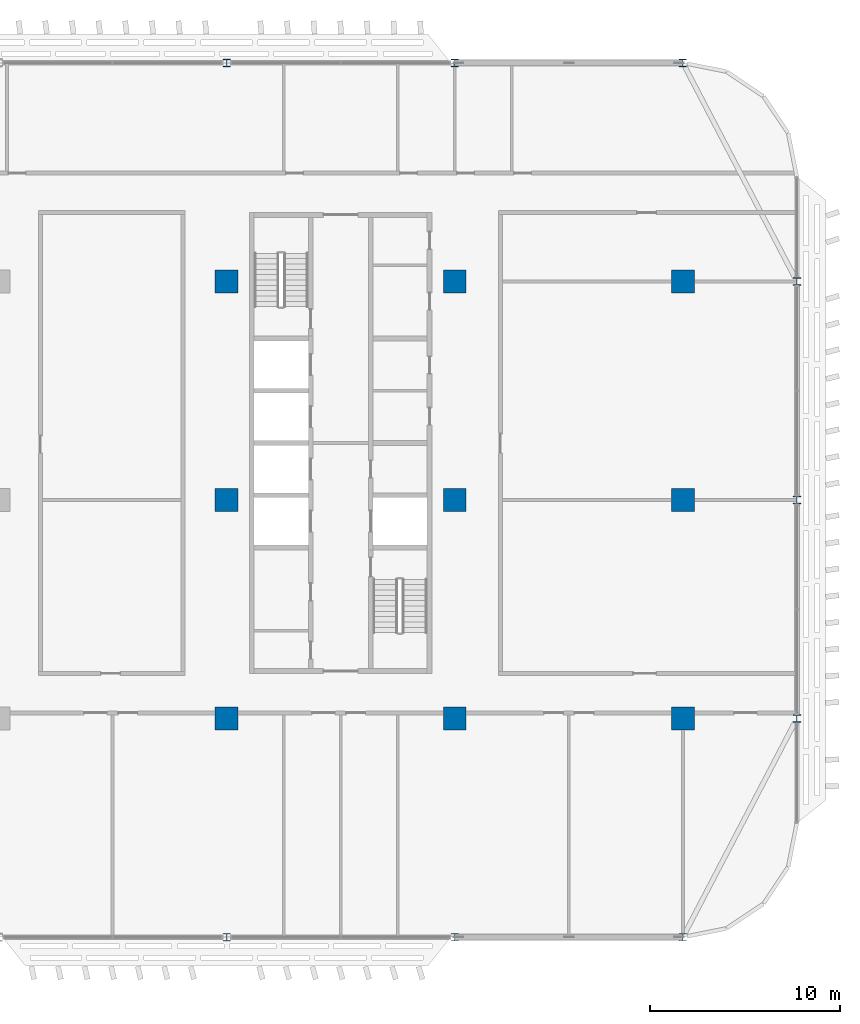
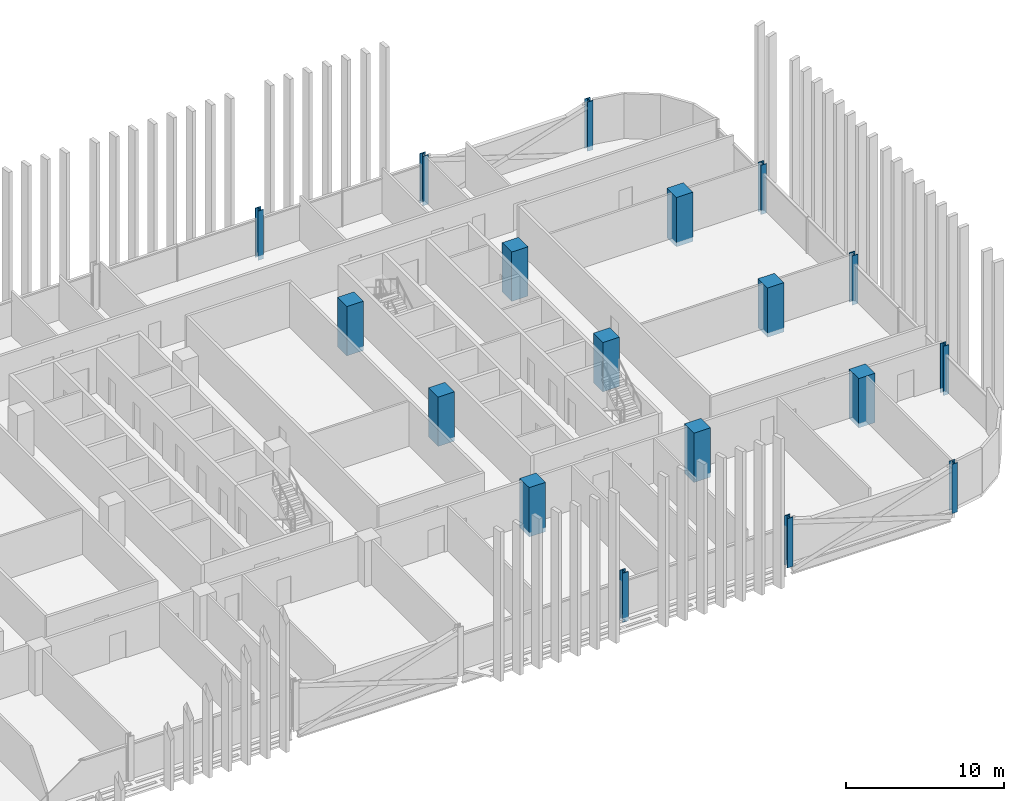
# One storey, part 2 of 28: 18 columns.
"""IFC4 building model written with IfcOpenShell, lengths in metres."""

from ifc_helpers import new_model, si_unit, direction, frame, origin, origin_2d, place, context, subcontext, project, spatial, rectangle, i_section, extrude, material, material_profile, profile_set, type_object, element, save


model = new_model("IFC4")

# Units and contexts
model_context = context("Model", 3, precision=1e-05, world=origin(), true_north=direction((0.0, 1.0)))
body_context = subcontext(model_context, "Body", "Model", "MODEL_VIEW")
ifc_project = project(units=[si_unit("LENGTHUNIT", "METRE"), si_unit("AREAUNIT", "SQUARE_METRE"), si_unit("VOLUMEUNIT", "CUBIC_METRE"), si_unit("PLANEANGLEUNIT", "RADIAN"), si_unit("MASSUNIT", "GRAM", prefix="KILO")], contexts=[model_context])

# Site, building, storey
site_placement = place(None, origin())
site = spatial("IfcSite", under=ifc_project, at=site_placement, CompositionType="ELEMENT")
building_placement = place(site_placement, origin())
building = spatial("IfcBuilding", under=site, at=building_placement, Name="Mahtab Terrace Research Tower", CompositionType="ELEMENT")
storey_placement = place(building_placement, frame((0.0, 0.0, 174.39990234375)))
storey = spatial("IfcBuildingStorey", under=building, at=storey_placement, Name="L41", CompositionType="ELEMENT", Elevation=174.39990234375)

# Columns
ifc_material_1 = material(Name="Concrete C70/85", Category="concrete")
ifc_material_profile_1 = material_profile(ifc_material_1, rectangle(XDim=1.199951171875, YDim=1.199951171875, at=origin_2d()), Name="RC column 1200x1200")
ifc_profile_set_1 = profile_set([ifc_material_profile_1], Name="Concrete C70/85")
column_type_1 = type_object("IfcColumnType", Name="RC column 1200x1200", PredefinedType="COLUMN", material=ifc_profile_set_1)
for number, where, z_axis, x_axis, name in (
    (1, (18.0, -11.5, -0.33984375), (0.0, 0.0, 1.0), (1.0, 0.0, 0.0), "Column RC-6A L41"),
    (2, (18.0, 0.0, -0.33984375), (0.0, 0.0, 1.0), (1.0, 0.0, 0.0), "Column RC-6B L41"),
    (3, (18.0, 11.5, -0.33984375), (0.0, 0.0, 1.0), (1.0, 0.0, 0.0), "Column RC-6C L41"),
    (4, (30.0, -11.5, -0.33984375), (0.0, 0.0, 1.0), (1.0, 0.0, 0.0), "Column RC-7A L41"),
    (5, (30.0, 0.0, -0.33984375), (0.0, 0.0, 1.0), (1.0, 0.0, 0.0), "Column RC-7B L41"),
    (6, (30.0, 11.5, -0.33984375), (0.0, 0.0, 1.0), (1.0, 0.0, 0.0), "Column RC-7C L41"),
    (7, (42.0, -11.5, -0.33984375), (0.0, 0.0, 1.0), (1.0, 0.0, 0.0), "Column RC-8A L41"),
    (8, (42.0, 0.0, -0.33984375), (0.0, 0.0, 1.0), (1.0, 0.0, 0.0), "Column RC-8B L41"),
    (9, (42.0, 11.5, -0.33984375), (0.0, 0.0, 1.0), (1.0, 0.0, 0.0), "Column RC-8C L41"),
):
    element("IfcColumn", number, at=place(storey_placement, frame(where, z_axis=z_axis, x_axis=x_axis)), inside=storey, type_object=column_type_1, Name=name, PredefinedType="COLUMN", context=body_context, shape_type="SweptSolid", body=[
        extrude(rectangle(XDim=1.199951171875, YDim=1.199951171875, at=origin_2d()), origin(), (0.0, 0.0, 1.0), 3.800048828125),
    ])
ifc_material_2 = material(Name="Steel ASTM A992 Gr 50", Category="steel")
ifc_material_profile_2 = material_profile(ifc_material_2, i_section(OverallWidth=0.406494140625, OverallDepth=0.41650390625, WebThickness=0.030029296875, FlangeThickness=0.048095703125, at=origin_2d()), Name="W14X257")
ifc_profile_set_2 = profile_set([ifc_material_profile_2], Name="Steel ASTM A992 Gr 50")
column_type_2 = type_object("IfcColumnType", Name="W14x257 column CS14257", PredefinedType="COLUMN", material=ifc_profile_set_2)
for number, where, z_axis, x_axis, name in (
    (10, (42.0, 23.0, -0.33984375), (0.0, 0.0, 1.0), (1.0, 0.0, 0.0), "Column SC-001 L41"),
    (11, (30.0, 23.0, -0.33984375), (0.0, 0.0, 1.0), (1.0, 0.0, 0.0), "Column SC-002 L41"),
    (12, (18.0, 23.0, -0.33984375), (0.0, 0.0, 1.0), (1.0, 0.0, 0.0), "Column SC-003 L41"),
    (13, (18.0, -23.0, -0.33984375), (0.0, 0.0, 1.0), (1.0, 0.0, 0.0), "Column SC-017 L41"),
    (14, (30.0, -23.0, -0.33984375), (0.0, 0.0, 1.0), (1.0, 0.0, 0.0), "Column SC-018 L41"),
    (15, (42.0, -23.0, -0.33984375), (0.0, 0.0, 1.0), (1.0, 0.0, 0.0), "Column SC-019 L41"),
    (16, (48.0, -11.5, -0.33984375), (0.0, 0.0, 1.0), (1.0, 0.0, 0.0), "Column SC-020 L41"),
    (17, (48.0, 0.0, -0.33984375), (0.0, 0.0, 1.0), (1.0, 0.0, 0.0), "Column SC-021 L41"),
    (18, (48.0, 11.5, -0.33984375), (0.0, 0.0, 1.0), (1.0, 0.0, 0.0), "Column SC-022 L41"),
):
    element("IfcColumn", number, at=place(storey_placement, frame(where, z_axis=z_axis, x_axis=x_axis)), inside=storey, type_object=column_type_2, Name=name, PredefinedType="COLUMN", context=body_context, shape_type="SweptSolid", body=[
        extrude(i_section(OverallWidth=0.406494140625, OverallDepth=0.41650390625, WebThickness=0.030029296875, FlangeThickness=0.048095703125, at=origin_2d()), origin(), (0.0, 0.0, 1.0), 3.800048828125),
    ])

save(model, "model.ifc")
